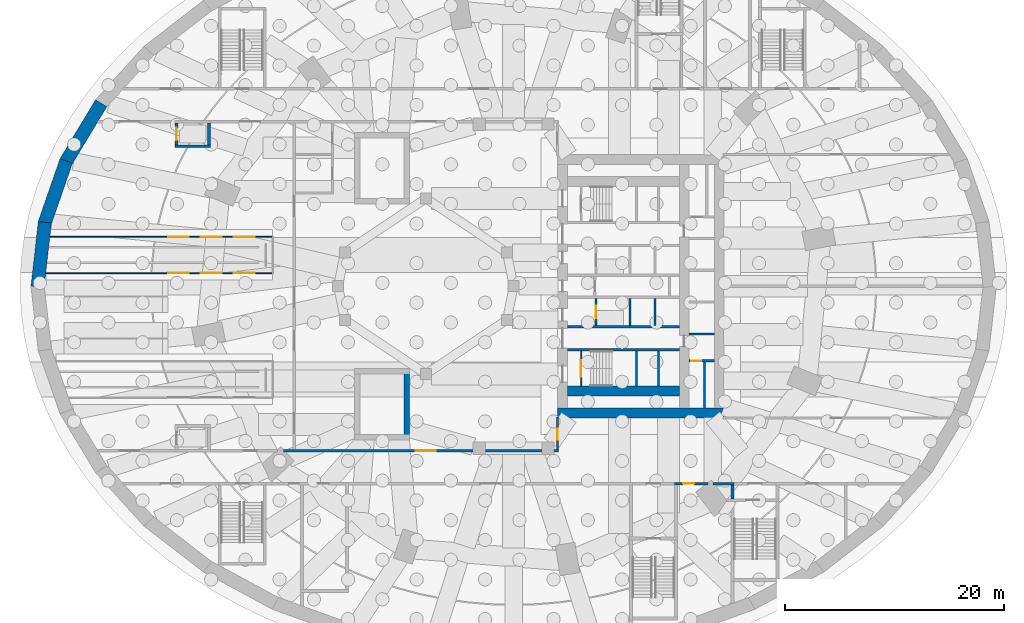
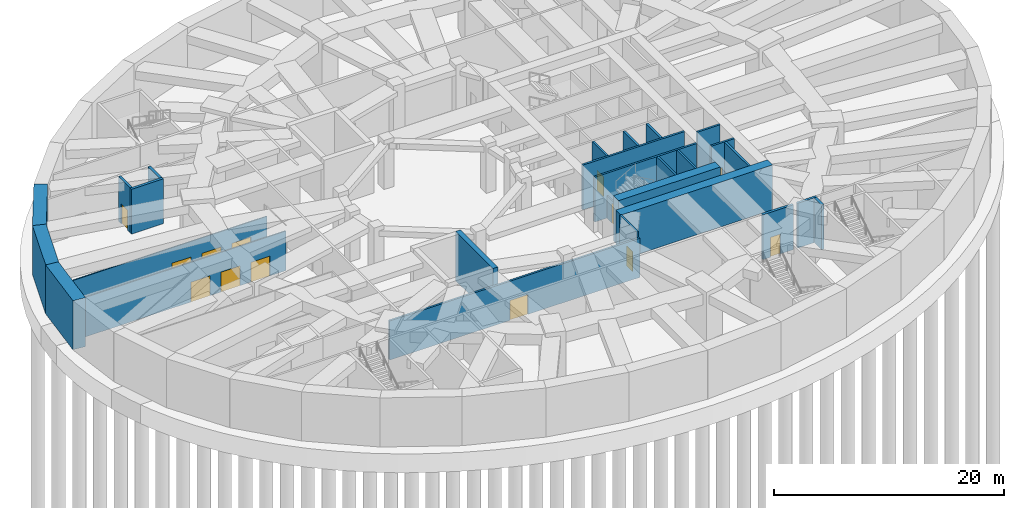
# One storey, part 8 of 18: 27 walls, 13 doors, 13 openings.
"""IFC4 building model written with IfcOpenShell, lengths in metres."""

from ifc_helpers import new_model, si_unit, direction, frame, frame_2d, origin, place, context, subcontext, project, spatial, rectangle, extrude, material, layer, layer_set, type_object, element, fill, save


model = new_model("IFC4")

# Units and contexts
model_context = context("Model", 3, precision=1e-05, world=origin(), true_north=direction((0.0, 1.0)))
body_context = subcontext(model_context, "Body", "Model", "MODEL_VIEW")
ifc_project = project(units=[si_unit("LENGTHUNIT", "METRE"), si_unit("AREAUNIT", "SQUARE_METRE"), si_unit("VOLUMEUNIT", "CUBIC_METRE"), si_unit("PLANEANGLEUNIT", "RADIAN"), si_unit("MASSUNIT", "GRAM", prefix="KILO")], contexts=[model_context])

# Site, building, storey
site_placement = place(None, origin())
site = spatial("IfcSite", under=ifc_project, at=site_placement, CompositionType="ELEMENT")
building_placement = place(site_placement, origin())
building = spatial("IfcBuilding", under=site, at=building_placement, Name="Taillehof Tower", CompositionType="ELEMENT")
storey_placement = place(building_placement, frame((0.0, 0.0, -10.39990234375)))
storey = spatial("IfcBuildingStorey", under=building, at=storey_placement, Name="B2", CompositionType="ELEMENT", Elevation=-10.39990234375)

# Wall, opening, door
ifc_material_1 = material(Name="Calcium silicate blockwork", Category="masonry")
ifc_layer_1 = layer(ifc_material_1, 0.199951171875)
ifc_layer_set_1 = layer_set([ifc_layer_1], Name="Compartment wall EI 60 200 mm")
wall_type_1 = type_object("IfcWallType", Name="Compartment wall EI 60 200 mm", PredefinedType="PARTITIONING", material=ifc_layer_set_1)
wall_1_placement = place(storey_placement, frame((-20.97119140625, -15.0, 0.0), z_axis=(0.0, 0.0, 1.0), x_axis=(1.0, 0.0, 0.0)))
wall_1 = element("IfcWall", 1, at=wall_1_placement, inside=storey, type_object=wall_type_1, Name="Wall B2-11 / B2-14", PredefinedType="PARTITIONING", context=body_context, shape_type="SweptSolid", body=[
    extrude(rectangle(XDim=25.0712890625, YDim=0.199951171875, at=frame_2d((12.53564453125, 0.0))), origin(), (0.0, 0.0, 1.0), 4.14990234375),
])
opening_1_placement = place(wall_1_placement, frame((12.071044921875, 0.0, 0.0)))
opening_1 = element("IfcOpeningElement", 2, at=opening_1_placement, cuts=wall_1, Name="Opening DB254", PredefinedType="OPENING", context=body_context, shape_type="SweptSolid", body=[
    extrude(rectangle(XDim=1.800048828125, YDim=2.10009765625, at=frame_2d((0.89990234375, 1.050048828125))), frame((0.0, 0.10986328125, 0.0), z_axis=(0.0, -1.0, 0.0), x_axis=(1.0, 0.0, 0.0)), (0.0, 0.0, 1.0), 0.219970703125),
])
ifc_material_2 = material(Name="Hollow metal door set")
door_type_1 = type_object("IfcDoorType", Name="Double door 1800 x 2100 FD60S", OperationType="DOUBLE_DOOR_SINGLE_SWING", PredefinedType="DOOR", material=ifc_material_2)
door_1_placement = place(opening_1_placement, origin())
door_1 = element("IfcDoor", 3, at=door_1_placement, inside=storey, type_object=door_type_1, Name="Door DB254", OperationType="DOUBLE_DOOR_SINGLE_SWING", OverallHeight=2.10009765625, OverallWidth=1.800048828125, PredefinedType="DOOR", context=body_context, shape_type="SweptSolid", body=[
    extrude(rectangle(XDim=1.800048828125, YDim=2.10009765625, at=frame_2d((0.89990234375, 1.050048828125))), frame((0.0, 0.02490234375, 0.0), z_axis=(0.0, -1.0, 0.0), x_axis=(1.0, 0.0, 0.0)), (0.0, 0.0, 1.0), 0.050048828125),
])
fill(opening_1, door_1)

wall_2_placement = place(storey_placement, frame((4.0, -14.89990234375, 0.0), z_axis=(0.0, 0.0, 1.0), x_axis=(0.0, 1.0, 0.0)))
wall_2 = element("IfcWall", 4, at=wall_2_placement, inside=storey, type_object=wall_type_1, Name="Wall B2-12 / B2-14", PredefinedType="PARTITIONING", context=body_context, shape_type="SweptSolid", body=[
    extrude(rectangle(XDim=3.0, YDim=0.199951171875, at=frame_2d((1.5, 0.0))), origin(), (0.0, 0.0, 1.0), 4.75),
])
opening_2_placement = place(wall_2_placement, frame((0.89990234375, 0.0, 0.0)))
opening_2 = element("IfcOpeningElement", 5, at=opening_2_placement, cuts=wall_2, Name="Opening DB256", PredefinedType="OPENING", context=body_context, shape_type="SweptSolid", body=[
    extrude(rectangle(XDim=1.0, YDim=2.10009765625, at=frame_2d((0.5, 1.050048828125))), frame((0.0, 0.10986328125, 0.0), z_axis=(0.0, -1.0, 0.0), x_axis=(1.0, 0.0, 0.0)), (0.0, 0.0, 1.0), 0.219970703125),
])
ifc_material_3 = material(Name="Hollow metal door set")
door_type_2 = type_object("IfcDoorType", Name="Single door 1000 x 2100 FD60S", OperationType="SINGLE_SWING_LEFT", PredefinedType="DOOR", material=ifc_material_3)
door_2_placement = place(opening_2_placement, origin())
door_2 = element("IfcDoor", 6, at=door_2_placement, inside=storey, type_object=door_type_2, Name="Door DB256", OperationType="SINGLE_SWING_LEFT", OverallHeight=2.10009765625, OverallWidth=1.0, PredefinedType="DOOR", context=body_context, shape_type="SweptSolid", body=[
    extrude(rectangle(XDim=1.0, YDim=2.10009765625, at=frame_2d((0.5, 1.050048828125))), frame((0.0, 0.02490234375, 0.0), z_axis=(0.0, -1.0, 0.0), x_axis=(1.0, 0.0, 0.0)), (0.0, 0.0, 1.0), 0.050048828125),
])
fill(opening_2, door_2)

ifc_material_4 = material(Name="Calcium silicate masonry", Category="masonry")
ifc_layer_2 = layer(ifc_material_4, 0.199951171875)
ifc_layer_set_2 = layer_set([ifc_layer_2], Name="Compartment wall calcium silicate 200")
wall_type_2 = type_object("IfcWallType", Name="Compartment wall calcium silicate 200", PredefinedType="PARTITIONING", material=ifc_layer_set_2)
wall_3_placement = place(storey_placement, frame((16.0, -6.800048828125, 0.0), z_axis=(0.0, 0.0, 1.0), x_axis=(1.0, 0.0, 0.0)))
wall_3 = element("IfcWall", 7, at=wall_3_placement, inside=storey, type_object=wall_type_2, Name="Compartment wall FW", PredefinedType="PARTITIONING", context=body_context, shape_type="SweptSolid", body=[
    extrude(rectangle(XDim=2.300048828125, YDim=0.199951171875, at=frame_2d((1.14990234375, 0.0))), origin(), (0.0, 0.0, 1.0), 4.75),
])
opening_3_placement = place(wall_3_placement, frame((0.199951171875, 0.0, 0.0)))
opening_3 = element("IfcOpeningElement", 8, at=opening_3_placement, cuts=wall_3, Name="Opening DB214", PredefinedType="OPENING", context=body_context, shape_type="SweptSolid", body=[
    extrude(rectangle(XDim=0.89990234375, YDim=2.10009765625, at=frame_2d((0.449951171875, 1.050048828125))), frame((0.0, 0.10986328125, 0.0), z_axis=(0.0, -1.0, 0.0), x_axis=(1.0, 0.0, 0.0)), (0.0, 0.0, 1.0), 0.219970703125),
])
ifc_material_5 = material(Name="Steel-faced fire door", Category="steel")
door_type_3 = type_object("IfcDoorType", Name="Riser and service room door 900x2100", OperationType="SINGLE_SWING_LEFT", PredefinedType="DOOR", material=ifc_material_5)
door_3_placement = place(opening_3_placement, origin())
door_3 = element("IfcDoor", 9, at=door_3_placement, inside=storey, type_object=door_type_3, Name="Door Comms Room", OperationType="SINGLE_SWING_LEFT", OverallHeight=2.10009765625, OverallWidth=0.89990234375, PredefinedType="DOOR", context=body_context, shape_type="SweptSolid", body=[
    extrude(rectangle(XDim=0.89990234375, YDim=2.10009765625, at=frame_2d((0.449951171875, 1.050048828125))), frame((0.0, 0.02490234375, 0.0), z_axis=(0.0, -1.0, 0.0), x_axis=(1.0, 0.0, 0.0)), (0.0, 0.0, 1.0), 0.050048828125),
])
fill(opening_3, door_3)

# Walls
wall_4_placement = place(storey_placement, frame((17.39990234375, -11.10009765625, 0.0), z_axis=(0.0, 0.0, 1.0), x_axis=(0.0, 1.0, 0.0)))
element("IfcWall", 10, at=wall_4_placement, inside=storey, type_object=wall_type_2, Name="Compartment wall FW", PredefinedType="PARTITIONING", context=body_context, shape_type="SweptSolid", body=[
    extrude(rectangle(XDim=4.2001953125, YDim=0.199951171875, at=frame_2d((2.10009765625, 0.0))), origin(), (0.0, 0.0, 1.0), 4.75),
])
ifc_material_6 = material(Name="Concrete C80/95", Category="concrete")
ifc_layer_3 = layer(ifc_material_6, 0.89990234375)
ifc_layer_set_3 = layer_set([ifc_layer_3], Name="Core wall C80/95 900")
wall_type_3 = type_object("IfcWallType", Name="Core wall C80/95 900", PredefinedType="SHEAR", material=ifc_layer_set_3)
wall_5_placement = place(storey_placement, frame((4.0, -11.550048828125, 0.0), z_axis=(0.0, 0.0, 1.0), x_axis=(1.0, 0.0, 0.0)))
element("IfcWall", 11, at=wall_5_placement, inside=storey, type_object=wall_type_3, Name="Core wall CW04", PredefinedType="SHEAR", context=body_context, shape_type="SweptSolid", body=[
    extrude(rectangle(XDim=15.199951171875, YDim=0.89990234375, at=frame_2d((7.60009765625, 0.0))), origin(), (0.0, 0.0, 1.0), 4.75),
])
wall_6_placement = place(storey_placement, frame((4.89990234375, -9.550048828125, 0.0), z_axis=(0.0, 0.0, 1.0), x_axis=(1.0, 0.0, 0.0)))
element("IfcWall", 12, at=wall_6_placement, inside=storey, type_object=wall_type_3, Name="Core wall CW07", PredefinedType="SHEAR", context=body_context, shape_type="SweptSolid", body=[
    extrude(rectangle(XDim=10.2001953125, YDim=0.89990234375, at=frame_2d((5.10009765625, 0.0))), origin(), (0.0, 0.0, 1.0), 4.75),
])
ifc_material_7 = material(Name="Concrete C35/45", Category="concrete")
ifc_layer_4 = layer(ifc_material_7, 1.199951171875)
ifc_layer_set_4 = layer_set([ifc_layer_4], Name="Diaphragm wall 1200")
wall_type_4 = type_object("IfcWallType", Name="Diaphragm wall 1200", PredefinedType="USERDEFINED", material=ifc_layer_set_4)
wall_7_placement = place(storey_placement, frame((-37.59423828125, 16.68505859375, 0.0), z_axis=(0.0, 0.0, 1.0), x_axis=(-0.516691596258, -0.856171591655, 0.0)))
element("IfcWall", 13, at=wall_7_placement, inside=storey, type_object=wall_type_4, Name="Diaphragm wall DW16", ObjectType="Retaining wall", PredefinedType="USERDEFINED", context=body_context, shape_type="SweptSolid", body=[
    extrude(rectangle(XDim=6.25732421875, YDim=1.199951171875, at=frame_2d((3.128662109375, 0.0))), origin(), (0.0, 0.0, 1.0), 5.199951171875),
])
wall_8_placement = place(storey_placement, frame((-40.782958984375, 11.422119140625, 0.0), z_axis=(0.0, 0.0, 1.0), x_axis=(-0.327626042927, -0.944807480917, 0.0)))
element("IfcWall", 14, at=wall_8_placement, inside=storey, type_object=wall_type_4, Name="Diaphragm wall DW17", ObjectType="Retaining wall", PredefinedType="USERDEFINED", context=body_context, shape_type="SweptSolid", body=[
    extrude(rectangle(XDim=6.034423828125, YDim=1.199951171875, at=frame_2d((3.01708984375, 0.0))), origin(), (0.0, 0.0, 1.0), 5.199951171875),
])
wall_9_placement = place(storey_placement, frame((-42.73681640625, 5.822509765625, 0.0), z_axis=(0.0, 0.0, 1.0), x_axis=(-0.112525170728, -0.993648874579, 0.0)))
element("IfcWall", 15, at=wall_9_placement, inside=storey, type_object=wall_type_4, Name="Diaphragm wall DW18", ObjectType="Retaining wall", PredefinedType="USERDEFINED", context=body_context, shape_type="SweptSolid", body=[
    extrude(rectangle(XDim=5.912353515625, YDim=1.199951171875, at=frame_2d((2.9560546875, 0.0))), origin(), (0.0, 0.0, 1.0), 5.199951171875),
])

# Wall, opening, door
ifc_material_8 = material(Name="Calcium silicate blockwork", Category="masonry")
ifc_layer_5 = layer(ifc_material_8, 0.25)
ifc_layer_set_5 = layer_set([ifc_layer_5], Name="Fire-resisting wall EI 120 250 mm")
wall_type_5 = type_object("IfcWallType", Name="Fire-resisting wall EI 120 250 mm", PredefinedType="PARTITIONING", material=ifc_layer_set_5)
wall_10_placement = place(storey_placement, frame((14.675048828125, -18.0, 0.0), z_axis=(0.0, 0.0, 1.0), x_axis=(1.0, 0.0, 0.0)))
wall_10 = element("IfcWall", 16, at=wall_10_placement, inside=storey, type_object=wall_type_5, Name="Wall B2-14 / B2-28", PredefinedType="PARTITIONING", context=body_context, shape_type="SweptSolid", body=[
    extrude(rectangle(XDim=3.064697265625, YDim=0.25, at=frame_2d((1.5322265625, 0.0))), origin(), (0.0, 0.0, 1.0), 4.75),
])
opening_4_placement = place(wall_10_placement, frame((0.781982421875, 0.0, 0.0)))
opening_4 = element("IfcOpeningElement", 17, at=opening_4_placement, cuts=wall_10, Name="Opening DB249", PredefinedType="OPENING", context=body_context, shape_type="SweptSolid", body=[
    extrude(rectangle(XDim=1.0, YDim=2.10009765625, at=frame_2d((0.5, 1.050048828125))), frame((0.0, 0.135009765625, 0.0), z_axis=(0.0, -1.0, 0.0), x_axis=(1.0, 0.0, 0.0)), (0.0, 0.0, 1.0), 0.27001953125),
])
ifc_material_9 = material(Name="Hollow metal door set")
door_type_4 = type_object("IfcDoorType", Name="Single door 1000 x 2100 FD120S", OperationType="SINGLE_SWING_LEFT", PredefinedType="DOOR", material=ifc_material_9)
door_4_placement = place(opening_4_placement, origin())
door_4 = element("IfcDoor", 18, at=door_4_placement, inside=storey, type_object=door_type_4, Name="Door DB249", OperationType="SINGLE_SWING_RIGHT", OverallHeight=2.10009765625, OverallWidth=1.0, PredefinedType="DOOR", context=body_context, shape_type="SweptSolid", body=[
    extrude(rectangle(XDim=1.0, YDim=2.10009765625, at=frame_2d((0.5, 1.050048828125))), frame((0.0, 0.02490234375, 0.0), z_axis=(0.0, -1.0, 0.0), x_axis=(1.0, 0.0, 0.0)), (0.0, 0.0, 1.0), 0.050048828125),
])
fill(opening_4, door_4)

# Walls
wall_11_placement = place(storey_placement, frame((18.178466796875, -18.0, 0.0), z_axis=(0.0, 0.0, 1.0), x_axis=(1.0, 0.0, 0.0)))
element("IfcWall", 19, at=wall_11_placement, inside=storey, type_object=wall_type_5, Name="Wall B2-14 / B2-28", PredefinedType="PARTITIONING", context=body_context, shape_type="SweptSolid", body=[
    extrude(rectangle(XDim=1.896484375, YDim=0.25, at=frame_2d((0.9482421875, 0.0))), origin(), (0.0, 0.0, 1.0), 4.75),
])
wall_12_placement = place(storey_placement, frame((19.949951171875, -19.375, 0.0), z_axis=(0.0, 0.0, 1.0), x_axis=(0.0, 1.0, 0.0)))
element("IfcWall", 20, at=wall_12_placement, inside=storey, type_object=wall_type_5, Name="Wall B2-28 / B2-29", PredefinedType="PARTITIONING", context=body_context, shape_type="SweptSolid", body=[
    extrude(rectangle(XDim=1.25, YDim=0.25, at=frame_2d((0.625, 0.0))), origin(), (0.0, 0.0, 1.0), 4.75),
])

# Wall, openings, doors
ifc_material_10 = material(Name="Laminated glass in steel frame", Category="steel")
ifc_layer_6 = layer(ifc_material_10, 0.10009765625)
ifc_layer_set_6 = layer_set([ifc_layer_6], Name="Platform screen wall 100")
wall_type_6 = type_object("IfcWallType", Name="Platform screen wall 100", PredefinedType="PARTITIONING", material=ifc_layer_set_6)
wall_13_placement = place(storey_placement, frame((-42.63623046875, 1.199951171875, 0.0), z_axis=(0.0, 0.0, 1.0), x_axis=(1.0, 0.0, 0.0)))
wall_13 = element("IfcWall", 21, at=wall_13_placement, inside=storey, type_object=wall_type_6, Name="North platform screen 1", PredefinedType="PARTITIONING", context=body_context, shape_type="SweptSolid", body=[
    extrude(rectangle(XDim=20.63623046875, YDim=0.10009765625, at=frame_2d((10.318115234375, 0.0))), origin(), (0.0, 0.0, 1.0), 4.199951171875),
])
opening_5_placement = place(wall_13_placement, frame((17.13623046875, 0.0, 0.0)))
opening_5 = element("IfcOpeningElement", 22, at=opening_5_placement, cuts=wall_13, Name="Opening PSD1", PredefinedType="OPENING", context=body_context, shape_type="SweptSolid", body=[
    extrude(rectangle(XDim=1.89990234375, YDim=2.10009765625, at=frame_2d((0.949951171875, 1.050048828125))), frame((0.0, 0.06005859375, 0.0), z_axis=(0.0, -1.0, 0.0), x_axis=(1.0, 0.0, 0.0)), (0.0, 0.0, 1.0), 0.1201171875),
])
opening_6_placement = place(wall_13_placement, frame((14.13623046875, 0.0, 0.0)))
opening_6 = element("IfcOpeningElement", 23, at=opening_6_placement, cuts=wall_13, Name="Opening PSD1", PredefinedType="OPENING", context=body_context, shape_type="SweptSolid", body=[
    extrude(rectangle(XDim=1.89990234375, YDim=2.10009765625, at=frame_2d((0.949951171875, 1.050048828125))), frame((0.0, 0.06005859375, 0.0), z_axis=(0.0, -1.0, 0.0), x_axis=(1.0, 0.0, 0.0)), (0.0, 0.0, 1.0), 0.1201171875),
])
opening_7_placement = place(wall_13_placement, frame((11.13623046875, 0.0, 0.0)))
opening_7 = element("IfcOpeningElement", 24, at=opening_7_placement, cuts=wall_13, Name="Opening PSD1", PredefinedType="OPENING", context=body_context, shape_type="SweptSolid", body=[
    extrude(rectangle(XDim=1.89990234375, YDim=2.10009765625, at=frame_2d((0.949951171875, 1.050048828125))), frame((0.0, 0.06005859375, 0.0), z_axis=(0.0, -1.0, 0.0), x_axis=(1.0, 0.0, 0.0)), (0.0, 0.0, 1.0), 0.1201171875),
])
ifc_material_11 = material(Name="Laminated glass in steel frame", Category="steel")
door_type_5 = type_object("IfcDoorType", Name="Platform screen door 1900 x 2100", OperationType="SLIDING_TO_LEFT", PredefinedType="DOOR", material=ifc_material_11)
door_5_placement = place(opening_5_placement, origin())
door_5 = element("IfcDoor", 25, at=door_5_placement, inside=storey, type_object=door_type_5, Name="Platform screen door 1", OperationType="DOUBLE_DOOR_SLIDING", OverallHeight=2.10009765625, OverallWidth=1.89990234375, PredefinedType="DOOR", context=body_context, shape_type="SweptSolid", body=[
    extrude(rectangle(XDim=1.89990234375, YDim=2.10009765625, at=frame_2d((0.949951171875, 1.050048828125))), frame((0.0, 0.02490234375, 0.0), z_axis=(0.0, -1.0, 0.0), x_axis=(1.0, 0.0, 0.0)), (0.0, 0.0, 1.0), 0.050048828125),
])
fill(opening_5, door_5)
door_6_placement = place(opening_6_placement, origin())
door_6 = element("IfcDoor", 26, at=door_6_placement, inside=storey, type_object=door_type_5, Name="Platform screen door 2", OperationType="DOUBLE_DOOR_SLIDING", OverallHeight=2.10009765625, OverallWidth=1.89990234375, PredefinedType="DOOR", context=body_context, shape_type="SweptSolid", body=[
    extrude(rectangle(XDim=1.89990234375, YDim=2.10009765625, at=frame_2d((0.949951171875, 1.050048828125))), frame((0.0, 0.02490234375, 0.0), z_axis=(0.0, -1.0, 0.0), x_axis=(1.0, 0.0, 0.0)), (0.0, 0.0, 1.0), 0.050048828125),
])
fill(opening_6, door_6)
door_7_placement = place(opening_7_placement, origin())
door_7 = element("IfcDoor", 27, at=door_7_placement, inside=storey, type_object=door_type_5, Name="Platform screen door 3", OperationType="DOUBLE_DOOR_SLIDING", OverallHeight=2.10009765625, OverallWidth=1.89990234375, PredefinedType="DOOR", context=body_context, shape_type="SweptSolid", body=[
    extrude(rectangle(XDim=1.89990234375, YDim=2.10009765625, at=frame_2d((0.949951171875, 1.050048828125))), frame((0.0, 0.02490234375, 0.0), z_axis=(0.0, -1.0, 0.0), x_axis=(1.0, 0.0, 0.0)), (0.0, 0.0, 1.0), 0.050048828125),
])
fill(opening_7, door_7)

wall_14_placement = place(storey_placement, frame((-42.2626953125, 4.5, 0.0), z_axis=(0.0, 0.0, 1.0), x_axis=(1.0, 0.0, 0.0)))
wall_14 = element("IfcWall", 28, at=wall_14_placement, inside=storey, type_object=wall_type_6, Name="North platform screen 2", PredefinedType="PARTITIONING", context=body_context, shape_type="SweptSolid", body=[
    extrude(rectangle(XDim=20.2626953125, YDim=0.10009765625, at=frame_2d((10.13134765625, 0.0))), origin(), (0.0, 0.0, 1.0), 3.75),
])
opening_8_placement = place(wall_14_placement, frame((16.7626953125, 0.0, 0.0)))
opening_8 = element("IfcOpeningElement", 29, at=opening_8_placement, cuts=wall_14, Name="Opening PSD1", PredefinedType="OPENING", context=body_context, shape_type="SweptSolid", body=[
    extrude(rectangle(XDim=1.89990234375, YDim=2.10009765625, at=frame_2d((0.949951171875, 1.050048828125))), frame((0.0, 0.06005859375, 0.0), z_axis=(0.0, -1.0, 0.0), x_axis=(1.0, 0.0, 0.0)), (0.0, 0.0, 1.0), 0.1201171875),
])
opening_9_placement = place(wall_14_placement, frame((13.7626953125, 0.0, 0.0)))
opening_9 = element("IfcOpeningElement", 30, at=opening_9_placement, cuts=wall_14, Name="Opening PSD1", PredefinedType="OPENING", context=body_context, shape_type="SweptSolid", body=[
    extrude(rectangle(XDim=1.89990234375, YDim=2.10009765625, at=frame_2d((0.949951171875, 1.050048828125))), frame((0.0, 0.06005859375, 0.0), z_axis=(0.0, -1.0, 0.0), x_axis=(1.0, 0.0, 0.0)), (0.0, 0.0, 1.0), 0.1201171875),
])
opening_10_placement = place(wall_14_placement, frame((10.7626953125, 0.0, 0.0)))
opening_10 = element("IfcOpeningElement", 31, at=opening_10_placement, cuts=wall_14, Name="Opening PSD1", PredefinedType="OPENING", context=body_context, shape_type="SweptSolid", body=[
    extrude(rectangle(XDim=1.89990234375, YDim=2.10009765625, at=frame_2d((0.949951171875, 1.050048828125))), frame((0.0, 0.06005859375, 0.0), z_axis=(0.0, -1.0, 0.0), x_axis=(1.0, 0.0, 0.0)), (0.0, 0.0, 1.0), 0.1201171875),
])
door_8_placement = place(opening_8_placement, origin())
door_8 = element("IfcDoor", 32, at=door_8_placement, inside=storey, type_object=door_type_5, Name="Platform screen door 4", OperationType="DOUBLE_DOOR_SLIDING", OverallHeight=2.10009765625, OverallWidth=1.89990234375, PredefinedType="DOOR", context=body_context, shape_type="SweptSolid", body=[
    extrude(rectangle(XDim=1.89990234375, YDim=2.10009765625, at=frame_2d((0.949951171875, 1.050048828125))), frame((0.0, 0.02490234375, 0.0), z_axis=(0.0, -1.0, 0.0), x_axis=(1.0, 0.0, 0.0)), (0.0, 0.0, 1.0), 0.050048828125),
])
fill(opening_8, door_8)
door_9_placement = place(opening_9_placement, origin())
door_9 = element("IfcDoor", 33, at=door_9_placement, inside=storey, type_object=door_type_5, Name="Platform screen door 5", OperationType="DOUBLE_DOOR_SLIDING", OverallHeight=2.10009765625, OverallWidth=1.89990234375, PredefinedType="DOOR", context=body_context, shape_type="SweptSolid", body=[
    extrude(rectangle(XDim=1.89990234375, YDim=2.10009765625, at=frame_2d((0.949951171875, 1.050048828125))), frame((0.0, 0.02490234375, 0.0), z_axis=(0.0, -1.0, 0.0), x_axis=(1.0, 0.0, 0.0)), (0.0, 0.0, 1.0), 0.050048828125),
])
fill(opening_9, door_9)
door_10_placement = place(opening_10_placement, origin())
door_10 = element("IfcDoor", 34, at=door_10_placement, inside=storey, type_object=door_type_5, Name="Platform screen door 6", OperationType="DOUBLE_DOOR_SLIDING", OverallHeight=2.10009765625, OverallWidth=1.89990234375, PredefinedType="DOOR", context=body_context, shape_type="SweptSolid", body=[
    extrude(rectangle(XDim=1.89990234375, YDim=2.10009765625, at=frame_2d((0.949951171875, 1.050048828125))), frame((0.0, 0.02490234375, 0.0), z_axis=(0.0, -1.0, 0.0), x_axis=(1.0, 0.0, 0.0)), (0.0, 0.0, 1.0), 0.050048828125),
])
fill(opening_10, door_10)

# Walls
ifc_material_12 = material(Name="Concrete C50/60", Category="concrete")
ifc_layer_7 = layer(ifc_material_12, 0.199951171875)
ifc_layer_set_7 = layer_set([ifc_layer_7], Name="Shaft wall C50/60 200")
wall_type_7 = type_object("IfcWallType", Name="Shaft wall C50/60 200", PredefinedType="SHEAR", material=ifc_layer_set_7)
for number, where, z_axis, x_axis, name in (
    (35, (4.89990234375, -3.699951171875, 0.0), (0.0, 0.0, 1.0), (1.0, 0.0, 0.0), "Shaft wall SW"),
    (36, (4.89990234375, -5.800048828125, 0.0), (0.0, 0.0, 1.0), (1.0, 0.0, 0.0), "Shaft wall SW"),
):
    element("IfcWall", number, at=place(storey_placement, frame(where, z_axis=z_axis, x_axis=x_axis)), inside=storey, type_object=wall_type_7, Name=name, PredefinedType="SHEAR", context=body_context, shape_type="SweptSolid", body=[
        extrude(rectangle(XDim=10.2001953125, YDim=0.199951171875, at=frame_2d((5.10009765625, 0.0))), origin(), (0.0, 0.0, 1.0), 4.75),
    ])
for number, where, z_axis, x_axis, name in (
    (37, (11.199951171875, -9.10009765625, 0.0), (0.0, 0.0, 1.0), (0.0, 1.0, 0.0), "Shaft wall SW"),
    (38, (13.199951171875, -9.10009765625, 0.0), (0.0, 0.0, 1.0), (0.0, 1.0, 0.0), "Shaft wall SW"),
):
    element("IfcWall", number, at=place(storey_placement, frame(where, z_axis=z_axis, x_axis=x_axis)), inside=storey, type_object=wall_type_7, Name=name, PredefinedType="SHEAR", context=body_context, shape_type="SweptSolid", body=[
        extrude(rectangle(XDim=3.2001953125, YDim=0.199951171875, at=frame_2d((1.60009765625, 0.0))), origin(), (0.0, 0.0, 1.0), 4.75),
    ])

# Wall, opening, door
wall_15_placement = place(storey_placement, frame((7.5, -3.60009765625, 0.0), z_axis=(0.0, 0.0, 1.0), x_axis=(0.0, 1.0, 0.0)))
wall_15 = element("IfcWall", 39, at=wall_15_placement, inside=storey, type_object=wall_type_7, Name="Shaft wall SW", PredefinedType="SHEAR", context=body_context, shape_type="SweptSolid", body=[
    extrude(rectangle(XDim=2.5, YDim=0.199951171875, at=frame_2d((1.25, 0.0))), origin(), (0.0, 0.0, 1.0), 4.75),
])
opening_11_placement = place(wall_15_placement, frame((0.699951171875, 0.0, 0.0)))
opening_11 = element("IfcOpeningElement", 40, at=opening_11_placement, cuts=wall_15, Name="Opening LD1", PredefinedType="OPENING", context=body_context, shape_type="SweptSolid", body=[
    extrude(rectangle(XDim=1.10009765625, YDim=2.10009765625, at=frame_2d((0.550048828125, 1.050048828125))), frame((0.0, 0.10986328125, 0.0), z_axis=(0.0, -1.0, 0.0), x_axis=(1.0, 0.0, 0.0)), (0.0, 0.0, 1.0), 0.219970703125),
])
ifc_material_13 = material(Name="Stainless steel", Category="steel")
door_type_6 = type_object("IfcDoorType", Name="Lift landing door LD1 1100x2100", OperationType="DOUBLE_DOOR_SLIDING", PredefinedType="DOOR", material=ifc_material_13)
door_11_placement = place(opening_11_placement, origin())
door_11 = element("IfcDoor", 41, at=door_11_placement, inside=storey, type_object=door_type_6, Name="Landing door FF2", OperationType="DOUBLE_DOOR_SLIDING", OverallHeight=2.10009765625, OverallWidth=1.10009765625, PredefinedType="DOOR", context=body_context, shape_type="SweptSolid", body=[
    extrude(rectangle(XDim=1.10009765625, YDim=2.10009765625, at=frame_2d((0.550048828125, 1.050048828125))), frame((0.0, 0.02490234375, 0.0), z_axis=(0.0, -1.0, 0.0), x_axis=(1.0, 0.0, 0.0)), (0.0, 0.0, 1.0), 0.050048828125),
])
fill(opening_11, door_11)

# Walls
for number, where, z_axis, x_axis, name in (
    (42, (10.60009765625, -3.60009765625, 0.0), (0.0, 0.0, 1.0), (0.0, 1.0, 0.0), "Shaft wall SW"),
    (43, (12.89990234375, -3.60009765625, 0.0), (0.0, 0.0, 1.0), (0.0, 1.0, 0.0), "Shaft wall SW"),
):
    element("IfcWall", number, at=place(storey_placement, frame(where, z_axis=z_axis, x_axis=x_axis)), inside=storey, type_object=wall_type_7, Name=name, PredefinedType="SHEAR", context=body_context, shape_type="SweptSolid", body=[
        extrude(rectangle(XDim=2.5, YDim=0.199951171875, at=frame_2d((1.25, 0.0))), origin(), (0.0, 0.0, 1.0), 4.75),
    ])
wall_16_placement = place(storey_placement, frame((16.0, -4.35009765625, 0.0), z_axis=(0.0, 0.0, 1.0), x_axis=(1.0, 0.0, 0.0)))
element("IfcWall", 44, at=wall_16_placement, inside=storey, type_object=wall_type_7, Name="Shaft wall SW", PredefinedType="SHEAR", context=body_context, shape_type="SweptSolid", body=[
    extrude(rectangle(XDim=2.300048828125, YDim=0.199951171875, at=frame_2d((1.14990234375, 0.0))), origin(), (0.0, 0.0, 1.0), 4.75),
])
ifc_material_14 = material(Name="Calcium silicate blockwork", Category="masonry")
ifc_layer_8 = layer(ifc_material_14, 0.25)
ifc_layer_set_8 = layer_set([ifc_layer_8], Name="Shaft wall EI 120 250 mm")
wall_type_8 = type_object("IfcWallType", Name="Shaft wall EI 120 250 mm", PredefinedType="SHEAR", material=ifc_layer_set_8)
wall_17_placement = place(storey_placement, frame((-30.85009765625, 12.75, 0.0), z_axis=(0.0, 0.0, 1.0), x_axis=(1.0, 0.0, 0.0)))
element("IfcWall", 45, at=wall_17_placement, inside=storey, type_object=wall_type_8, Name="Wall B2-07 / B2-11", PredefinedType="SHEAR", context=body_context, shape_type="SweptSolid", body=[
    extrude(rectangle(XDim=3.2001953125, YDim=0.25, at=frame_2d((1.60009765625, 0.0))), origin(), (0.0, 0.0, 1.0), 4.75),
])

# Wall, opening, door
wall_18_placement = place(storey_placement, frame((-30.72509765625, 12.875, 0.0), z_axis=(0.0, 0.0, 1.0), x_axis=(0.0, 1.0, 0.0)))
wall_18 = element("IfcWall", 46, at=wall_18_placement, inside=storey, type_object=wall_type_8, Name="Wall B2-07 / B2-11", PredefinedType="SHEAR", context=body_context, shape_type="SweptSolid", body=[
    extrude(rectangle(XDim=2.0, YDim=0.25, at=frame_2d((1.0, 0.0))), origin(), (0.0, 0.0, 1.0), 4.75),
])
opening_12_placement = place(wall_18_placement, frame((0.449951171875, 0.0, 0.0)))
opening_12 = element("IfcOpeningElement", 47, at=opening_12_placement, cuts=wall_18, Name="Opening LD4", PredefinedType="OPENING", context=body_context, shape_type="SweptSolid", body=[
    extrude(rectangle(XDim=1.10009765625, YDim=2.10009765625, at=frame_2d((0.550048828125, 1.050048828125))), frame((0.0, 0.135009765625, 0.0), z_axis=(0.0, -1.0, 0.0), x_axis=(1.0, 0.0, 0.0)), (0.0, 0.0, 1.0), 0.27001953125),
])
ifc_material_15 = material(Name="Brushed stainless lift door")
door_type_7 = type_object("IfcDoorType", Name="Lift landing door 1100 x 2100", OperationType="SLIDING_TO_LEFT", PredefinedType="DOOR", material=ifc_material_15)
door_12_placement = place(opening_12_placement, origin())
door_12 = element("IfcDoor", 48, at=door_12_placement, inside=storey, type_object=door_type_7, Name="Landing door DB266", OperationType="SLIDING_TO_LEFT", OverallHeight=2.10009765625, OverallWidth=1.10009765625, PredefinedType="DOOR", context=body_context, shape_type="SweptSolid", body=[
    extrude(rectangle(XDim=1.10009765625, YDim=2.10009765625, at=frame_2d((0.550048828125, 1.050048828125))), frame((0.0, 0.02490234375, 0.0), z_axis=(0.0, -1.0, 0.0), x_axis=(1.0, 0.0, 0.0)), (0.0, 0.0, 1.0), 0.050048828125),
])
fill(opening_12, door_12)

# Walls
wall_19_placement = place(storey_placement, frame((-27.77490234375, 12.875, 0.0), z_axis=(0.0, 0.0, 1.0), x_axis=(0.0, 1.0, 0.0)))
element("IfcWall", 49, at=wall_19_placement, inside=storey, type_object=wall_type_8, Name="Wall B2-07 / B2-11", PredefinedType="SHEAR", context=body_context, shape_type="SweptSolid", body=[
    extrude(rectangle(XDim=2.0, YDim=0.25, at=frame_2d((1.0, 0.0))), origin(), (0.0, 0.0, 1.0), 4.75),
])
ifc_material_16 = material(Name="Concrete C60/75", Category="concrete")
ifc_layer_9 = layer(ifc_material_16, 0.5)
ifc_layer_set_9 = layer_set([ifc_layer_9], Name="Stair enclosure base wall 500")
wall_type_9 = type_object("IfcWallType", Name="Stair enclosure base wall 500", PredefinedType="SHEAR", material=ifc_layer_set_9)
wall_20_placement = place(storey_placement, frame((-9.75, -14.0, 0.0), z_axis=(0.0, 0.0, 1.0), x_axis=(0.0, 1.0, 0.0)))
element("IfcWall", 50, at=wall_20_placement, inside=storey, type_object=wall_type_9, Name="Enclosure base wall S4-2", PredefinedType="SHEAR", context=body_context, shape_type="SweptSolid", body=[
    extrude(rectangle(XDim=6.5, YDim=0.5, at=frame_2d((3.25, 0.0))), origin(), (0.0, 0.0, 1.0), 5.199951171875),
])

# Wall, opening, door
ifc_material_17 = material(Name="Concrete C50/60", Category="concrete")
ifc_layer_10 = layer(ifc_material_17, 0.1201171875)
ifc_layer_set_10 = layer_set([ifc_layer_10], Name="Stair lobby wall C50/60 120")
wall_type_10 = type_object("IfcWallType", Name="Stair lobby wall C50/60 120", PredefinedType="SHEAR", material=ifc_layer_set_10)
wall_21_placement = place(storey_placement, frame((6.159912109375, -9.10009765625, 0.0), z_axis=(0.0, 0.0, 1.0), x_axis=(0.0, 1.0, 0.0)))
wall_21 = element("IfcWall", 51, at=wall_21_placement, inside=storey, type_object=wall_type_10, Name="Compartment wall SW", PredefinedType="SHEAR", context=body_context, shape_type="SweptSolid", body=[
    extrude(rectangle(XDim=3.2001953125, YDim=0.1201171875, at=frame_2d((1.60009765625, 0.0))), origin(), (0.0, 0.0, 1.0), 2.389892578125),
])
opening_13_placement = place(wall_21_placement, frame((0.85009765625, 0.0, 0.0)))
opening_13 = element("IfcOpeningElement", 52, at=opening_13_placement, cuts=wall_21, Name="Opening DB209", PredefinedType="OPENING", context=body_context, shape_type="SweptSolid", body=[
    extrude(rectangle(XDim=1.5, YDim=2.10009765625, at=frame_2d((0.75, 1.050048828125))), frame((0.0, 0.070068359375, 0.0), z_axis=(0.0, -1.0, 0.0), x_axis=(1.0, 0.0, 0.0)), (0.0, 0.0, 1.0), 0.14013671875),
])
ifc_material_18 = material(Name="Steel-faced fire door", Category="steel")
door_type_8 = type_object("IfcDoorType", Name="Stair door 1500x2100", OperationType="DOUBLE_DOOR_SINGLE_SWING", PredefinedType="DOOR", material=ifc_material_18)
door_13_placement = place(opening_13_placement, origin())
door_13 = element("IfcDoor", 53, at=door_13_placement, inside=storey, type_object=door_type_8, Name="Stair lobby door S2", OperationType="DOUBLE_DOOR_SINGLE_SWING", OverallHeight=2.10009765625, OverallWidth=1.5, PredefinedType="DOOR", context=body_context, shape_type="SweptSolid", body=[
    extrude(rectangle(XDim=1.5, YDim=2.10009765625, at=frame_2d((0.75, 1.050048828125))), frame((0.0, 0.02490234375, 0.0), z_axis=(0.0, -1.0, 0.0), x_axis=(1.0, 0.0, 0.0)), (0.0, 0.0, 1.0), 0.050048828125),
])
fill(opening_13, door_13)

save(model, "model.ifc")
